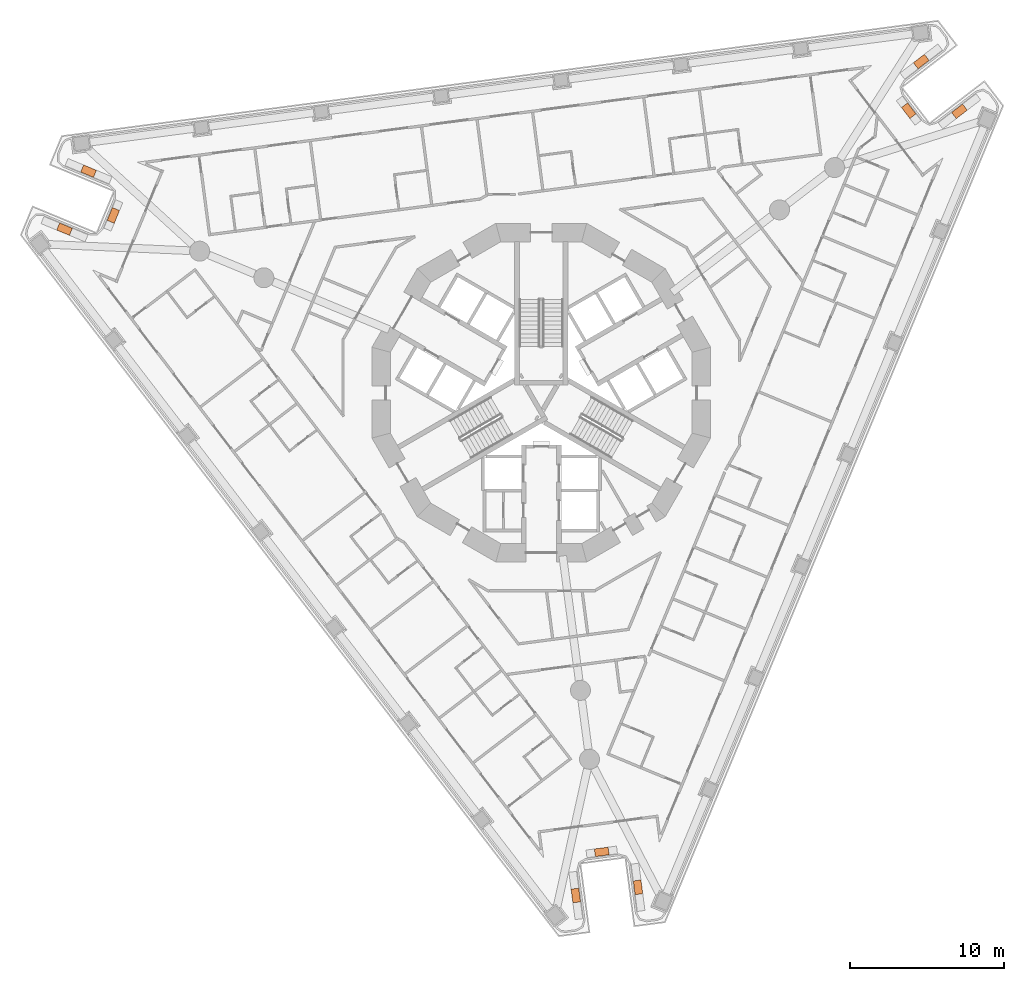
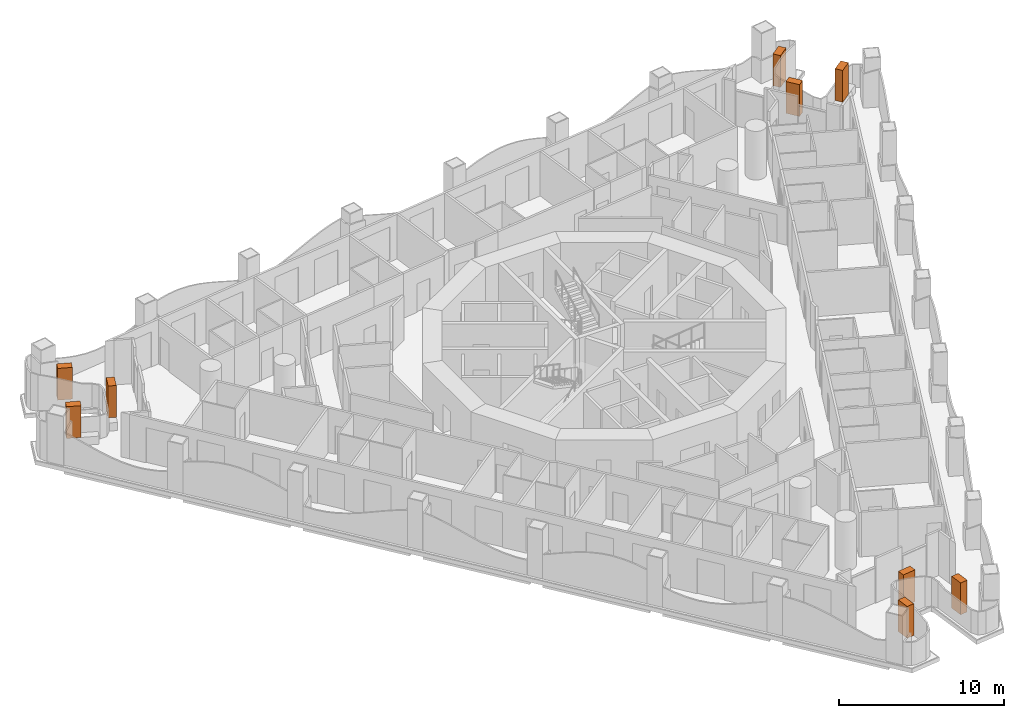
# One storey, part 19 of 19: 9 geographic elements.
"""IFC4 building model written with IfcOpenShell, lengths in metres."""

import ifcopenshell
import ifcopenshell.guid

model = None  # the IFC model being written
_history = None  # IfcOwnerHistory: only IFC2X3 demands one
_inside = {}  # id of a spatial element -> (the spatial element, [elements in it])
_under = {}  # id of a project, library or spatial element -> (it, [spatial elements below it])
_declared = {}  # id of a project -> (the project, [libraries it declares])
_typed = {}  # id of a type object -> (the type object, [elements of that type])
_made_of = {}  # id of a material, layer set ... -> (it, [elements and type objects made of it])


def new_model(schema):
    """Start an empty IFC model of exactly this schema.

    Asked for "IFC4X3", IfcOpenShell would pick the latest addendum, in which some entities
    have other attributes; the version numbers below select the first issue.
    IFC2X3 requires an IfcOwnerHistory on every rooted entity: one is made here for all.
    """
    global model, _history
    if schema == "IFC4X3":
        model = ifcopenshell.file(schema_version=(4, 3, 0, 0))
    else:
        model = ifcopenshell.file(schema=schema)
    _inside.clear()
    _under.clear()
    _declared.clear()
    _typed.clear()
    _made_of.clear()
    _history = None
    if model.schema == "IFC2X3":
        org = make("IfcOrganization", Name="unknown")
        user = make(
            "IfcPersonAndOrganization",
            ThePerson=make("IfcPerson", FamilyName="unknown"),
            TheOrganization=org,
        )
        app = make(
            "IfcApplication",
            ApplicationDeveloper=org,
            Version="unknown",
            ApplicationFullName="unknown",
            ApplicationIdentifier="unknown",
        )
        _history = make(
            "IfcOwnerHistory",
            OwningUser=user,
            OwningApplication=app,
            ChangeAction="ADDED",
            CreationDate=0,
        )
    return model


def make(cls, **values):
    """One entity of the class cls with the attributes given. An attribute that is None is left unset."""
    return model.create_entity(
        cls, **{name: value for name, value in values.items() if value is not None}
    )


def rooted(cls, **values):
    """An entity with a GlobalId (a new one), such as an element, a storey or a relation."""
    return make(cls, GlobalId=ifcopenshell.guid.new(), OwnerHistory=_history, **values)


def si_unit(unit_type, name, prefix=None):
    """IfcSIUnit, for example si_unit("LENGTHUNIT", "METRE", prefix="MILLI")."""
    return make("IfcSIUnit", UnitType=unit_type, Prefix=prefix, Name=name)


def assignment(units):
    """IfcUnitAssignment: the units of a project."""
    return None if units is None else make("IfcUnitAssignment", Units=units)


def point(xyz):
    """IfcCartesianPoint."""
    return None if xyz is None else make("IfcCartesianPoint", Coordinates=xyz)


def direction(xyz):
    """IfcDirection."""
    return None if xyz is None else make("IfcDirection", DirectionRatios=xyz)


def frame(location, z_axis=None, x_axis=None):
    """IfcAxis2Placement3D, a coordinate frame: its origin and axes. An axis left out is left unset."""
    return make(
        "IfcAxis2Placement3D",
        Location=point(location),
        Axis=direction(z_axis),
        RefDirection=direction(x_axis),
    )


def frame_2d(location, x_axis=None):
    """IfcAxis2Placement2D, a coordinate frame in the plane: its origin and x axis."""
    return make(
        "IfcAxis2Placement2D", Location=point(location), RefDirection=direction(x_axis)
    )


def origin():
    """The frame at (0, 0, 0) with its axes left unset."""
    return frame((0.0, 0.0, 0.0))


def origin_2d():
    """The frame at (0, 0) in the plane with its x axis left unset."""
    return frame_2d((0.0, 0.0))


def place(relative_to, where):
    """IfcLocalPlacement: puts the frame where relative to a parent placement (None: the world)."""
    return make(
        "IfcLocalPlacement", PlacementRelTo=relative_to, RelativePlacement=where
    )


def context(
    kind, dimensions, precision=None, world=None, true_north=None, identifier=None
):
    """IfcGeometricRepresentationContext, for example the 3D "Model" context."""
    return make(
        "IfcGeometricRepresentationContext",
        ContextIdentifier=identifier,
        ContextType=kind,
        CoordinateSpaceDimension=dimensions,
        Precision=precision,
        WorldCoordinateSystem=world,
        TrueNorth=true_north,
    )


def subcontext(parent, identifier, kind, view, scale=None):
    """IfcGeometricRepresentationSubContext, for example "Body" below "Model"."""
    return make(
        "IfcGeometricRepresentationSubContext",
        ContextIdentifier=identifier,
        ContextType=kind,
        ParentContext=parent,
        TargetScale=scale,
        TargetView=view,
    )


def project(units=None, contexts=None):
    """IfcProject with its units and contexts."""
    return rooted(
        "IfcProject",
        Name="project",
        RepresentationContexts=contexts,
        UnitsInContext=assignment(units),
    )


def spatial(cls, under=None, at=None, **own):
    """A site, building, storey or space (cls), placed at a placement, below another one or the project."""
    s = rooted(cls, ObjectPlacement=at, **own)
    if under is not None:
        _under.setdefault(under.id(), (under, []))[1].append(s)
    return s


def profile(cls, at=None, kind="AREA", **sizes):
    """A parametric profile (cls). Its sizes go by their IFC names, for example OverallWidth=200.0."""
    return make(cls, ProfileType=kind, Position=at, **sizes)


def rectangle(**sizes):
    """IfcRectangleProfileDef."""
    return profile("IfcRectangleProfileDef", **sizes)


def extrude(swept, where, along, depth):
    """IfcExtrudedAreaSolid: the profile swept, set in the frame where, extruded along a direction by depth."""
    return make(
        "IfcExtrudedAreaSolid",
        SweptArea=swept,
        Position=where,
        ExtrudedDirection=direction(along),
        Depth=depth,
    )


def shape(context_of_items, identifier, shape_type, items):
    """IfcShapeRepresentation: the items that make up one representation, for example the "Body"."""
    return make(
        "IfcShapeRepresentation",
        ContextOfItems=context_of_items,
        RepresentationIdentifier=identifier,
        RepresentationType=shape_type,
        Items=items,
    )


def made_of(thing, what):
    """Note that an element or type object is made of a material, layer set ...; save() writes the relation."""
    if what is not None:
        _made_of.setdefault(what.id(), (what, []))[1].append(thing)
    return thing


def element(
    cls,
    number,
    at=None,
    inside=None,
    cuts=None,
    type_object=None,
    material=None,
    context=None,
    identifier="Body",
    shape_type=None,
    held_by="IfcProductDefinitionShape",
    body=None,
    shapes=None,
    **own,
):
    """One element of the class cls, such as IfcWall. Its Tag is "e" and its number.

    at: its placement. inside: the storey or other place that contains it. cuts: it is an
    opening in that element (IfcRelVoidsElement). A single representation is given by context,
    identifier, shape_type and body (its items); several are given by shapes. held_by: the class
    of the entity that holds the representations. save() writes the other relations.
    """
    e = rooted(cls, Tag="e%d" % number, ObjectPlacement=at, **own)
    if body is not None:
        shapes = [shape(context, identifier, shape_type, body)]
    if shapes is not None:
        e.Representation = make(held_by, Representations=shapes)
    if inside is not None:
        _inside.setdefault(inside.id(), (inside, []))[1].append(e)
    if cuts is not None:
        rooted(
            "IfcRelVoidsElement", RelatingBuildingElement=cuts, RelatedOpeningElement=e
        )
    if type_object is not None:
        _typed.setdefault(type_object.id(), (type_object, []))[1].append(e)
    return made_of(e, material)


def aggregate(whole, parts):
    """IfcRelAggregates: a whole, such as a stair, and the parts it consists of."""
    return rooted("IfcRelAggregates", RelatingObject=whole, RelatedObjects=parts)


def save(model, path):
    """Write the relations noted so far, then the file.

    IfcRelAggregates (storeys below a building ...), IfcRelContainedInSpatialStructure (elements
    in a storey), IfcRelDefinesByType, IfcRelAssociatesMaterial and IfcRelDeclares: one each for
    every whole, place, type object, material and project.
    """
    for whole, parts in _under.values():
        aggregate(whole, parts)
    for where, things in _inside.values():
        rooted(
            "IfcRelContainedInSpatialStructure",
            RelatedElements=things,
            RelatingStructure=where,
        )
    for kind, things in _typed.values():
        rooted("IfcRelDefinesByType", RelatedObjects=things, RelatingType=kind)
    for what, things in _made_of.values():
        rooted("IfcRelAssociatesMaterial", RelatedObjects=things, RelatingMaterial=what)
    for by, libraries in _declared.values():
        rooted("IfcRelDeclares", RelatingContext=by, RelatedDefinitions=libraries)
    model.write(path)


model = new_model("IFC4")

# Units and contexts
model_context = context("Model", 3, precision=1e-05, world=origin(), true_north=direction((0.0, 1.0)))
body_context = subcontext(model_context, "Body", "Model", "MODEL_VIEW")
ifc_project = project(units=[si_unit("LENGTHUNIT", "METRE"), si_unit("AREAUNIT", "SQUARE_METRE"), si_unit("VOLUMEUNIT", "CUBIC_METRE"), si_unit("PLANEANGLEUNIT", "RADIAN"), si_unit("MASSUNIT", "GRAM", prefix="KILO")], contexts=[model_context])

# Site, building, storey
site_placement = place(None, origin())
site = spatial("IfcSite", under=ifc_project, at=site_placement, CompositionType="ELEMENT")
building_placement = place(site_placement, origin())
building = spatial("IfcBuilding", under=site, at=building_placement, Name="Trine Commons Tower", CompositionType="ELEMENT")
storey_placement = place(building_placement, frame((0.0, 0.0, 72.0)))
storey = spatial("IfcBuildingStorey", under=building, at=storey_placement, Name="L17", CompositionType="ELEMENT", Elevation=72.0)

# Geographic elements
for number, where, z_axis, x_axis, name in (
    (1, (49.005126953125, 73.13037109375, 0.599853515625), (0.0, 0.0, 1.0), (0.923885543575, -0.382668920052, 0.0), "Tree 1.1"),
    (2, (52.1787109375, 74.02392578125, 0.599853515625), (0.0, 0.0, 1.0), (0.382688269782, 0.923877528773, 0.0), "Tree 2.1"),
    (3, (50.56640625, 76.89990234375, 0.599853515625), (0.0, 0.0, 1.0), (-0.923885543575, 0.382668920052, 0.0), "Tree 3.1"),
    (4, (104.70361328125, 84.027099609375, 0.599853515625), (0.0, 0.0, 1.0), (-0.793358652707, -0.608754505672, 0.0), "Tree 4.1"),
    (5, (103.890625, 80.831787109375, 0.599853515625), (0.0, 0.0, 1.0), (0.608735120081, -0.793373527148, 0.0), "Tree 5.1"),
    (6, (107.187255859375, 80.790283203125, 0.599853515625), (0.0, 0.0, 1.0), (0.793358652707, 0.608754505672, 0.0), "Tree 6.1"),
    (7, (86.291259765625, 30.342529296875, 0.599853515625), (0.0, 0.0, 1.0), (-0.130517540226, 0.991446000392, 0.0), "Tree 7.1"),
    (8, (83.9306640625, 32.64404296875, 0.599853515625), (0.0, 0.0, 1.0), (-0.991442583111, -0.130543496177, 0.0), "Tree 8.1"),
    (9, (82.24609375, 29.81005859375, 0.599853515625), (0.0, 0.0, 1.0), (0.130546956964, -0.991442127422, 0.0), "Tree 9.1"),
):
    element("IfcGeographicElement", number, at=place(storey_placement, frame(where, z_axis=z_axis, x_axis=x_axis)), inside=storey, Name=name, ObjectType="TREE Tabebuia rosea", PredefinedType="USERDEFINED", context=body_context, shape_type="SweptSolid", body=[
        extrude(rectangle(XDim=0.89990234375, YDim=0.5, at=origin_2d()), origin(), (0.0, 0.0, 1.0), 2.35009765625),
    ])

save(model, "model.ifc")
